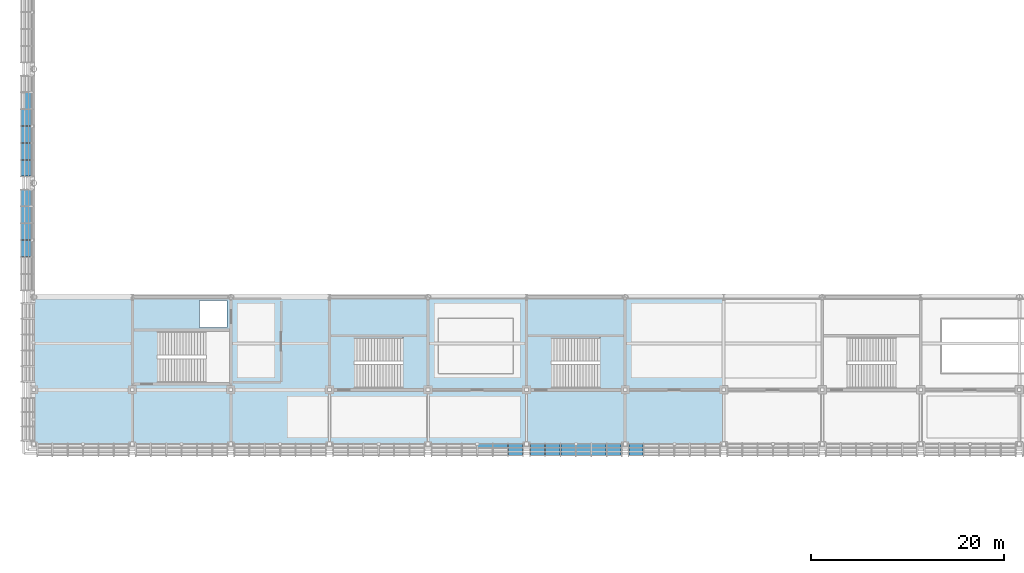
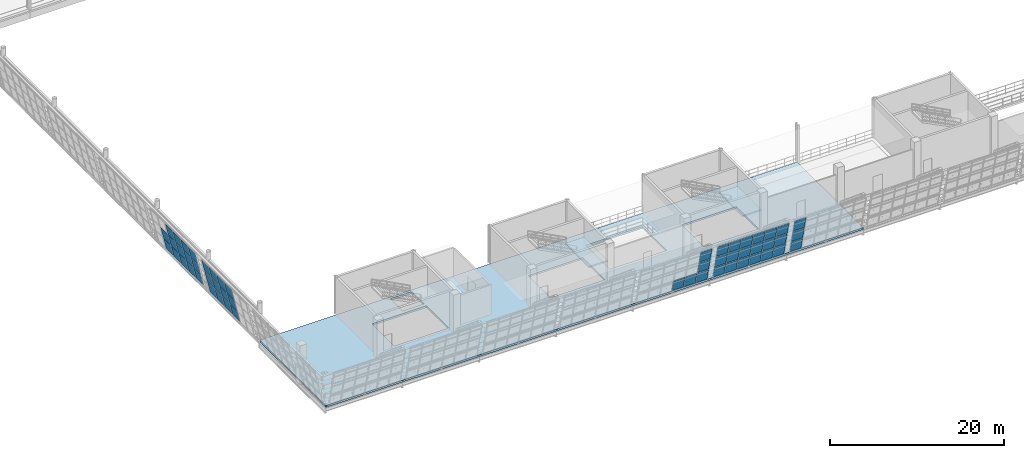
# One storey, part 104 of 175: 52 plates, 3 slabs, 7 elements without a shape of their own.
"""IFC4 building model written with IfcOpenShell, lengths in metres."""

from ifc_helpers import new_model, si_unit, direction, frame, origin, place, context, subcontext, project, spatial, polyline, outline, extrude, material, layer, layer_set, type_object, element, aggregate, save


model = new_model("IFC4")

# Units and contexts
model_context = context("Model", 3, precision=1e-05, world=origin(), true_north=direction((0.0, 1.0)))
body_context = subcontext(model_context, "Body", "Model", "MODEL_VIEW")
ifc_project = project(units=[si_unit("LENGTHUNIT", "METRE"), si_unit("AREAUNIT", "SQUARE_METRE"), si_unit("VOLUMEUNIT", "CUBIC_METRE"), si_unit("PLANEANGLEUNIT", "RADIAN"), si_unit("MASSUNIT", "GRAM", prefix="KILO")], contexts=[model_context])

# Site, building, storey
site_placement = place(None, origin())
site = spatial("IfcSite", under=ifc_project, at=site_placement, CompositionType="ELEMENT")
building_placement = place(site_placement, origin())
building = spatial("IfcBuilding", under=site, at=building_placement, Name="Brelvane Convention Centre", CompositionType="ELEMENT")
storey_placement = place(building_placement, frame((0.0, 0.0, 5.39990234375)))
storey = spatial("IfcBuildingStorey", under=building, at=storey_placement, Name="L01", CompositionType="ELEMENT", Elevation=5.39990234375)

# Curtain wall, plates
ifc_material_1 = material(Name="Anodised Aluminium Alloy 6063-T6", Category="aluminium")
curtain_wall_type = type_object("IfcCurtainWallType", Name="Curtain Wall CW-HULL-S", PredefinedType="USERDEFINED", material=ifc_material_1)
curtain_wall_1_placement = place(storey_placement, origin())
curtain_wall_1 = element("IfcCurtainWall", 1, at=curtain_wall_1_placement, inside=storey, type_object=curtain_wall_type, Name="Curtain Wall CW-HULL-S L01-HULL-S-L01-05", ObjectType="UNITISED", PredefinedType="USERDEFINED")
ifc_material_2 = material(Name="Double Glazed Low-E Laminated Unit")
ifc_layer_1 = layer(ifc_material_2, 0.031982421875)
ifc_layer_set_1 = layer_set([ifc_layer_1], Name="Double Glazed Low-E Laminated Unit")
plate_type_1 = type_object("IfcPlateType", Name="Curtain Panel CW-PG1", PredefinedType="CURTAIN_PANEL", material=ifc_layer_set_1)
plate_1_placement = place(storey_placement, frame((49.126708984375, 13.18798828125, 1.7568359375), z_axis=(0.0, 0.973584535906, 0.228326852222), x_axis=(1.0, 0.0, 0.0)))
plate_1 = element("IfcPlate", 2, at=plate_1_placement, type_object=plate_type_1, Name="CW-HULL-S panel 6.2", PredefinedType="CURTAIN_PANEL", context=body_context, shape_type="SweptSolid", body=[
    extrude(outline(polyline([(0.0, 0.0), (1.473388671875, 0.0), (1.473388671875, -1.680875721647406), (0.0, -1.680875721647406), (0.0, 0.0)])), origin(), (0.0, 0.0, -1.0), 0.031982421875),
])
plate_2_placement = place(storey_placement, frame((49.126708984375, 12.785400390625, 3.473388671875), z_axis=(0.0, 0.973577021422, 0.228358891569), x_axis=(1.0, 0.0, 0.0)))
plate_2 = element("IfcPlate", 3, at=plate_2_placement, type_object=plate_type_1, Name="CW-HULL-S panel 6.3", PredefinedType="CURTAIN_PANEL", context=body_context, shape_type="SweptSolid", body=[
    extrude(outline(polyline([(0.0, 0.0), (1.473388671875, 0.0), (1.473388671875, -1.640013735294975), (0.0, -1.640013735294975), (0.0, 0.0)])), origin(), (0.0, 0.0, -1.0), 0.031982421875),
])

curtain_wall_2_placement = place(storey_placement, origin())
curtain_wall_2 = element("IfcCurtainWall", 4, at=curtain_wall_2_placement, inside=storey, type_object=curtain_wall_type, Name="Curtain Wall CW-HULL-S L01-HULL-S-L01-06", ObjectType="UNITISED", PredefinedType="USERDEFINED")
plate_3_placement = place(storey_placement, frame((51.39990234375, 13.18798828125, 1.7568359375), z_axis=(0.0, 0.973584535906, 0.228326852222), x_axis=(1.0, 0.0, 0.0)))
plate_3 = element("IfcPlate", 5, at=plate_3_placement, type_object=plate_type_1, Name="CW-HULL-S panel 1.2", PredefinedType="CURTAIN_PANEL", context=body_context, shape_type="SweptSolid", body=[
    extrude(outline(polyline([(0.0, 0.0), (1.473388671875, 0.0), (1.473388671875, -1.680875721647406), (0.0, -1.680875721647406), (0.0, 0.0)])), origin(), (0.0, 0.0, -1.0), 0.031982421875),
])
plate_4_placement = place(storey_placement, frame((51.39990234375, 12.785400390625, 3.473388671875), z_axis=(0.0, 0.973577021422, 0.228358891569), x_axis=(1.0, 0.0, 0.0)))
plate_4 = element("IfcPlate", 6, at=plate_4_placement, type_object=plate_type_1, Name="CW-HULL-S panel 1.3", PredefinedType="CURTAIN_PANEL", context=body_context, shape_type="SweptSolid", body=[
    extrude(outline(polyline([(0.0, 0.0), (1.473388671875, 0.0), (1.473388671875, -1.640013735294975), (0.0, -1.640013735294975), (0.0, 0.0)])), origin(), (0.0, 0.0, -1.0), 0.031982421875),
])
plate_5_placement = place(storey_placement, frame((52.953369140625, 13.18798828125, 1.7568359375), z_axis=(0.0, 0.973584535906, 0.228326852222), x_axis=(1.0, 0.0, 0.0)))
plate_5 = element("IfcPlate", 7, at=plate_5_placement, type_object=plate_type_1, Name="CW-HULL-S panel 2.2", PredefinedType="CURTAIN_PANEL", context=body_context, shape_type="SweptSolid", body=[
    extrude(outline(polyline([(0.0, 0.0), (1.51318359375, 0.0), (1.51318359375, -1.680875721647406), (0.0, -1.680875721647406), (0.0, 0.0)])), origin(), (0.0, 0.0, -1.0), 0.031982421875),
])
plate_6_placement = place(storey_placement, frame((52.953369140625, 12.785400390625, 3.473388671875), z_axis=(0.0, 0.973577021422, 0.228358891569), x_axis=(1.0, 0.0, 0.0)))
plate_6 = element("IfcPlate", 8, at=plate_6_placement, type_object=plate_type_1, Name="CW-HULL-S panel 2.3", PredefinedType="CURTAIN_PANEL", context=body_context, shape_type="SweptSolid", body=[
    extrude(outline(polyline([(0.0, 0.0), (1.51318359375, 0.0), (1.51318359375, -1.640013735294975), (0.0, -1.640013735294975), (0.0, 0.0)])), origin(), (0.0, 0.0, -1.0), 0.031982421875),
])
plate_7_placement = place(storey_placement, frame((54.546630859375, 13.18798828125, 1.7568359375), z_axis=(0.0, 0.973584535906, 0.228326852222), x_axis=(1.0, 0.0, 0.0)))
plate_7 = element("IfcPlate", 9, at=plate_7_placement, type_object=plate_type_1, Name="CW-HULL-S panel 3.2", PredefinedType="CURTAIN_PANEL", context=body_context, shape_type="SweptSolid", body=[
    extrude(outline(polyline([(0.0, 0.0), (1.513427734375, 0.0), (1.513427734375, -1.680875721647406), (0.0, -1.680875721647406), (0.0, 0.0)])), origin(), (0.0, 0.0, -1.0), 0.031982421875),
])
plate_8_placement = place(storey_placement, frame((54.546630859375, 12.785400390625, 3.473388671875), z_axis=(0.0, 0.973577021422, 0.228358891569), x_axis=(1.0, 0.0, 0.0)))
plate_8 = element("IfcPlate", 10, at=plate_8_placement, type_object=plate_type_1, Name="CW-HULL-S panel 3.3", PredefinedType="CURTAIN_PANEL", context=body_context, shape_type="SweptSolid", body=[
    extrude(outline(polyline([(0.0, 0.0), (1.513427734375, 0.0), (1.513427734375, -1.6400137352949753), (0.0, -1.6400137352949753), (0.0, 0.0)])), origin(), (0.0, 0.0, -1.0), 0.031982421875),
])
plate_9_placement = place(storey_placement, frame((56.139892578125, 13.18798828125, 1.7568359375), z_axis=(0.0, 0.973584535906, 0.228326852222), x_axis=(1.0, 0.0, 0.0)))
plate_9 = element("IfcPlate", 11, at=plate_9_placement, type_object=plate_type_1, Name="CW-HULL-S panel 4.2", PredefinedType="CURTAIN_PANEL", context=body_context, shape_type="SweptSolid", body=[
    extrude(outline(polyline([(0.0, 0.0), (1.513427734375, 0.0), (1.513427734375, -1.680875721647406), (0.0, -1.680875721647406), (0.0, 0.0)])), origin(), (0.0, 0.0, -1.0), 0.031982421875),
])
plate_10_placement = place(storey_placement, frame((56.139892578125, 12.785400390625, 3.473388671875), z_axis=(0.0, 0.973577021422, 0.228358891569), x_axis=(1.0, 0.0, 0.0)))
plate_10 = element("IfcPlate", 12, at=plate_10_placement, type_object=plate_type_1, Name="CW-HULL-S panel 4.3", PredefinedType="CURTAIN_PANEL", context=body_context, shape_type="SweptSolid", body=[
    extrude(outline(polyline([(0.0, 0.0), (1.513427734375, 0.0), (1.513427734375, -1.6400137352949753), (0.0, -1.6400137352949753), (0.0, 0.0)])), origin(), (0.0, 0.0, -1.0), 0.031982421875),
])
plate_11_placement = place(storey_placement, frame((57.7333984375, 13.18798828125, 1.7568359375), z_axis=(0.0, 0.973584535906, 0.228326852222), x_axis=(1.0, 0.0, 0.0)))
plate_11 = element("IfcPlate", 13, at=plate_11_placement, type_object=plate_type_1, Name="CW-HULL-S panel 5.2", PredefinedType="CURTAIN_PANEL", context=body_context, shape_type="SweptSolid", body=[
    extrude(outline(polyline([(0.0, 0.0), (1.51318359375, 0.0), (1.51318359375, -1.680875721647406), (0.0, -1.680875721647406), (0.0, 0.0)])), origin(), (0.0, 0.0, -1.0), 0.031982421875),
])
plate_12_placement = place(storey_placement, frame((57.7333984375, 12.785400390625, 3.473388671875), z_axis=(0.0, 0.973577021422, 0.228358891569), x_axis=(1.0, 0.0, 0.0)))
plate_12 = element("IfcPlate", 14, at=plate_12_placement, type_object=plate_type_1, Name="CW-HULL-S panel 5.3", PredefinedType="CURTAIN_PANEL", context=body_context, shape_type="SweptSolid", body=[
    extrude(outline(polyline([(0.0, 0.0), (1.51318359375, 0.0), (1.51318359375, -1.640013735294975), (0.0, -1.640013735294975), (0.0, 0.0)])), origin(), (0.0, 0.0, -1.0), 0.031982421875),
])
plate_13_placement = place(storey_placement, frame((59.32666015625, 13.18798828125, 1.7568359375), z_axis=(0.0, 0.973584535906, 0.228326852222), x_axis=(1.0, 0.0, 0.0)))
plate_13 = element("IfcPlate", 15, at=plate_13_placement, type_object=plate_type_1, Name="CW-HULL-S panel 6.2", PredefinedType="CURTAIN_PANEL", context=body_context, shape_type="SweptSolid", body=[
    extrude(outline(polyline([(0.0, 0.0), (1.473388671875, 0.0), (1.473388671875, -1.680875721647406), (0.0, -1.680875721647406), (0.0, 0.0)])), origin(), (0.0, 0.0, -1.0), 0.031982421875),
])
plate_14_placement = place(storey_placement, frame((59.32666015625, 12.785400390625, 3.473388671875), z_axis=(0.0, 0.973577021422, 0.228358891569), x_axis=(1.0, 0.0, 0.0)))
plate_14 = element("IfcPlate", 16, at=plate_14_placement, type_object=plate_type_1, Name="CW-HULL-S panel 6.3", PredefinedType="CURTAIN_PANEL", context=body_context, shape_type="SweptSolid", body=[
    extrude(outline(polyline([(0.0, 0.0), (1.473388671875, 0.0), (1.473388671875, -1.640013735294975), (0.0, -1.640013735294975), (0.0, 0.0)])), origin(), (0.0, 0.0, -1.0), 0.031982421875),
])

curtain_wall_3_placement = place(storey_placement, origin())
curtain_wall_3 = element("IfcCurtainWall", 17, at=curtain_wall_3_placement, inside=storey, type_object=curtain_wall_type, Name="Curtain Wall CW-HULL-S L01-HULL-S-L01-07", ObjectType="UNITISED", PredefinedType="USERDEFINED")
plate_15_placement = place(storey_placement, frame((61.60009765625, 13.18798828125, 1.7568359375), z_axis=(0.0, 0.973584535906, 0.228326852222), x_axis=(1.0, 0.0, 0.0)))
plate_15 = element("IfcPlate", 18, at=plate_15_placement, type_object=plate_type_1, Name="CW-HULL-S panel 1.2", PredefinedType="CURTAIN_PANEL", context=body_context, shape_type="SweptSolid", body=[
    extrude(outline(polyline([(0.0, 0.0), (1.47314453125, 0.0), (1.47314453125, -1.680875721647406), (0.0, -1.680875721647406), (0.0, 0.0)])), origin(), (0.0, 0.0, -1.0), 0.031982421875),
])
plate_16_placement = place(storey_placement, frame((61.60009765625, 12.785400390625, 3.473388671875), z_axis=(0.0, 0.973577021422, 0.228358891569), x_axis=(1.0, 0.0, 0.0)))
plate_16 = element("IfcPlate", 19, at=plate_16_placement, type_object=plate_type_1, Name="CW-HULL-S panel 1.3", PredefinedType="CURTAIN_PANEL", context=body_context, shape_type="SweptSolid", body=[
    extrude(outline(polyline([(0.0, 0.0), (1.47314453125, 0.0), (1.47314453125, -1.6400137352949753), (0.0, -1.6400137352949753), (0.0, 0.0)])), origin(), (0.0, 0.0, -1.0), 0.031982421875),
])

curtain_wall_4_placement = place(storey_placement, origin())
curtain_wall_4 = element("IfcCurtainWall", 20, at=curtain_wall_4_placement, inside=storey, type_object=curtain_wall_type, Name="Curtain Wall CW-HULL-S L01-HULL-W-L01-1", ObjectType="UNITISED", PredefinedType="USERDEFINED")
plate_17_placement = place(storey_placement, frame((-0.543701171875, 32.987548828125, 1.74169921875), z_axis=(0.9735519665, 0.0, 0.22846568347), x_axis=(0.0, 1.0, 0.0)))
plate_17 = element("IfcPlate", 21, at=plate_17_placement, type_object=plate_type_1, Name="CW-HULL-S panel 3.2", PredefinedType="CURTAIN_PANEL", context=body_context, shape_type="SweptSolid", body=[
    extrude(outline(polyline([(0.0, 0.0), (1.675048828125, 0.0), (1.675048828125, 1.66061933454036), (0.0, 1.66061933454036), (0.0, 0.0)])), origin(), (0.0, 0.0, -1.0), 0.031982421875),
])
plate_18_placement = place(storey_placement, frame((-0.939453125, 32.987548828125, 3.428466796875), z_axis=(0.973592305748, 0.0, 0.228293719116), x_axis=(0.0, 1.0, 0.0)))
plate_18 = element("IfcPlate", 22, at=plate_18_placement, type_object=plate_type_1, Name="CW-HULL-S panel 3.3", PredefinedType="CURTAIN_PANEL", context=body_context, shape_type="SweptSolid", body=[
    extrude(outline(polyline([(0.0, 0.0), (1.675048828125, 0.0), (1.675048828125, 1.624440702142172), (0.0, 1.624440702142172), (0.0, 0.0)])), origin(), (0.0, 0.0, -1.0), 0.031982421875),
])
plate_19_placement = place(storey_placement, frame((-0.543701171875, 34.737548828125, 1.74169921875), z_axis=(0.9735519665, 0.0, 0.22846568347), x_axis=(0.0, 1.0, 0.0)))
plate_19 = element("IfcPlate", 23, at=plate_19_placement, type_object=plate_type_1, Name="CW-HULL-S panel 4.2", PredefinedType="CURTAIN_PANEL", context=body_context, shape_type="SweptSolid", body=[
    extrude(outline(polyline([(0.0, 0.0), (1.675048828125, 0.0), (1.675048828125, 1.66061933454036), (0.0, 1.66061933454036), (0.0, 0.0)])), origin(), (0.0, 0.0, -1.0), 0.031982421875),
])
plate_20_placement = place(storey_placement, frame((-0.939453125, 34.737548828125, 3.428466796875), z_axis=(0.973592305748, 0.0, 0.228293719116), x_axis=(0.0, 1.0, 0.0)))
plate_20 = element("IfcPlate", 24, at=plate_20_placement, type_object=plate_type_1, Name="CW-HULL-S panel 4.3", PredefinedType="CURTAIN_PANEL", context=body_context, shape_type="SweptSolid", body=[
    extrude(outline(polyline([(0.0, 0.0), (1.675048828125, 0.0), (1.675048828125, 1.624440702142172), (0.0, 1.624440702142172), (0.0, 0.0)])), origin(), (0.0, 0.0, -1.0), 0.031982421875),
])
plate_21_placement = place(storey_placement, frame((-0.543701171875, 36.487548828125, 1.74169921875), z_axis=(0.9735519665, 0.0, 0.22846568347), x_axis=(0.0, 1.0, 0.0)))
plate_21 = element("IfcPlate", 25, at=plate_21_placement, type_object=plate_type_1, Name="CW-HULL-S panel 5.2", PredefinedType="CURTAIN_PANEL", context=body_context, shape_type="SweptSolid", body=[
    extrude(outline(polyline([(0.0, 0.0), (1.675048828125, 0.0), (1.675048828125, 1.66061933454036), (0.0, 1.66061933454036), (0.0, 0.0)])), origin(), (0.0, 0.0, -1.0), 0.031982421875),
])
plate_22_placement = place(storey_placement, frame((-0.939453125, 36.487548828125, 3.428466796875), z_axis=(0.973592305748, 0.0, 0.228293719116), x_axis=(0.0, 1.0, 0.0)))
plate_22 = element("IfcPlate", 26, at=plate_22_placement, type_object=plate_type_1, Name="CW-HULL-S panel 5.3", PredefinedType="CURTAIN_PANEL", context=body_context, shape_type="SweptSolid", body=[
    extrude(outline(polyline([(0.0, 0.0), (1.675048828125, 0.0), (1.675048828125, 1.624440702142172), (0.0, 1.624440702142172), (0.0, 0.0)])), origin(), (0.0, 0.0, -1.0), 0.031982421875),
])
plate_23_placement = place(storey_placement, frame((-0.543701171875, 38.237548828125, 1.74169921875), z_axis=(0.9735519665, 0.0, 0.22846568347), x_axis=(0.0, 1.0, 0.0)))
plate_23 = element("IfcPlate", 27, at=plate_23_placement, type_object=plate_type_1, Name="CW-HULL-S panel 6.2", PredefinedType="CURTAIN_PANEL", context=body_context, shape_type="SweptSolid", body=[
    extrude(outline(polyline([(0.0, 0.0), (1.637451171875, 0.0), (1.637451171875, 1.6606193345403597), (0.0, 1.6606193345403597), (0.0, 0.0)])), origin(), (0.0, 0.0, -1.0), 0.031982421875),
])
plate_24_placement = place(storey_placement, frame((-0.939453125, 38.237548828125, 3.428466796875), z_axis=(0.973592305748, 0.0, 0.228293719116), x_axis=(0.0, 1.0, 0.0)))
plate_24 = element("IfcPlate", 28, at=plate_24_placement, type_object=plate_type_1, Name="CW-HULL-S panel 6.3", PredefinedType="CURTAIN_PANEL", context=body_context, shape_type="SweptSolid", body=[
    extrude(outline(polyline([(0.0, 0.0), (1.637451171875, 0.0), (1.637451171875, 1.6244407021421723), (0.0, 1.6244407021421723), (0.0, 0.0)])), origin(), (0.0, 0.0, -1.0), 0.031982421875),
])

curtain_wall_5_placement = place(storey_placement, origin())
curtain_wall_5 = element("IfcCurtainWall", 29, at=curtain_wall_5_placement, inside=storey, type_object=curtain_wall_type, Name="Curtain Wall CW-HULL-S L01-HULL-W-L01-2", ObjectType="UNITISED", PredefinedType="USERDEFINED")
plate_25_placement = place(storey_placement, frame((-0.543701171875, 41.324951171875, 1.74169921875), z_axis=(0.9735519665, 0.0, 0.22846568347), x_axis=(0.0, 1.0, 0.0)))
plate_25 = element("IfcPlate", 30, at=plate_25_placement, type_object=plate_type_1, Name="CW-HULL-S panel 1.2", PredefinedType="CURTAIN_PANEL", context=body_context, shape_type="SweptSolid", body=[
    extrude(outline(polyline([(0.0, 0.0), (1.637451171875, 0.0), (1.637451171875, 1.6606193345403597), (0.0, 1.6606193345403597), (0.0, 0.0)])), origin(), (0.0, 0.0, -1.0), 0.031982421875),
])
plate_26_placement = place(storey_placement, frame((-0.939453125, 41.324951171875, 3.428466796875), z_axis=(0.973592305748, 0.0, 0.228293719116), x_axis=(0.0, 1.0, 0.0)))
plate_26 = element("IfcPlate", 31, at=plate_26_placement, type_object=plate_type_1, Name="CW-HULL-S panel 1.3", PredefinedType="CURTAIN_PANEL", context=body_context, shape_type="SweptSolid", body=[
    extrude(outline(polyline([(0.0, 0.0), (1.637451171875, 0.0), (1.637451171875, 1.6244407021421723), (0.0, 1.6244407021421723), (0.0, 0.0)])), origin(), (0.0, 0.0, -1.0), 0.031982421875),
])
plate_27_placement = place(storey_placement, frame((-0.543701171875, 43.03759765625, 1.74169921875), z_axis=(0.9735519665, 0.0, 0.22846568347), x_axis=(0.0, 1.0, 0.0)))
plate_27 = element("IfcPlate", 32, at=plate_27_placement, type_object=plate_type_1, Name="CW-HULL-S panel 2.2", PredefinedType="CURTAIN_PANEL", context=body_context, shape_type="SweptSolid", body=[
    extrude(outline(polyline([(0.0, 0.0), (1.6748046875, 0.0), (1.6748046875, 1.6606193345403597), (0.0, 1.6606193345403597), (0.0, 0.0)])), origin(), (0.0, 0.0, -1.0), 0.031982421875),
])
plate_28_placement = place(storey_placement, frame((-0.939453125, 43.03759765625, 3.428466796875), z_axis=(0.973592305748, 0.0, 0.228293719116), x_axis=(0.0, 1.0, 0.0)))
plate_28 = element("IfcPlate", 33, at=plate_28_placement, type_object=plate_type_1, Name="CW-HULL-S panel 2.3", PredefinedType="CURTAIN_PANEL", context=body_context, shape_type="SweptSolid", body=[
    extrude(outline(polyline([(0.0, 0.0), (1.6748046875, 0.0), (1.6748046875, 1.624440702142172), (0.0, 1.624440702142172), (0.0, 0.0)])), origin(), (0.0, 0.0, -1.0), 0.031982421875),
])
plate_29_placement = place(storey_placement, frame((-0.543701171875, 44.78759765625, 1.74169921875), z_axis=(0.9735519665, 0.0, 0.22846568347), x_axis=(0.0, 1.0, 0.0)))
plate_29 = element("IfcPlate", 34, at=plate_29_placement, type_object=plate_type_1, Name="CW-HULL-S panel 3.2", PredefinedType="CURTAIN_PANEL", context=body_context, shape_type="SweptSolid", body=[
    extrude(outline(polyline([(0.0, 0.0), (1.6748046875, 0.0), (1.6748046875, 1.6606193345403597), (0.0, 1.6606193345403597), (0.0, 0.0)])), origin(), (0.0, 0.0, -1.0), 0.031982421875),
])
plate_30_placement = place(storey_placement, frame((-0.939453125, 44.78759765625, 3.428466796875), z_axis=(0.973592305748, 0.0, 0.228293719116), x_axis=(0.0, 1.0, 0.0)))
plate_30 = element("IfcPlate", 35, at=plate_30_placement, type_object=plate_type_1, Name="CW-HULL-S panel 3.3", PredefinedType="CURTAIN_PANEL", context=body_context, shape_type="SweptSolid", body=[
    extrude(outline(polyline([(0.0, 0.0), (1.6748046875, 0.0), (1.6748046875, 1.624440702142172), (0.0, 1.624440702142172), (0.0, 0.0)])), origin(), (0.0, 0.0, -1.0), 0.031982421875),
])
plate_31_placement = place(storey_placement, frame((-0.543701171875, 46.53759765625, 1.74169921875), z_axis=(0.9735519665, 0.0, 0.22846568347), x_axis=(0.0, 1.0, 0.0)))
plate_31 = element("IfcPlate", 36, at=plate_31_placement, type_object=plate_type_1, Name="CW-HULL-S panel 4.2", PredefinedType="CURTAIN_PANEL", context=body_context, shape_type="SweptSolid", body=[
    extrude(outline(polyline([(0.0, 0.0), (1.6748046875, 0.0), (1.6748046875, 1.6606193345403597), (0.0, 1.6606193345403597), (0.0, 0.0)])), origin(), (0.0, 0.0, -1.0), 0.031982421875),
])
plate_32_placement = place(storey_placement, frame((-0.939453125, 46.53759765625, 3.428466796875), z_axis=(0.973592305748, 0.0, 0.228293719116), x_axis=(0.0, 1.0, 0.0)))
plate_32 = element("IfcPlate", 37, at=plate_32_placement, type_object=plate_type_1, Name="CW-HULL-S panel 4.3", PredefinedType="CURTAIN_PANEL", context=body_context, shape_type="SweptSolid", body=[
    extrude(outline(polyline([(0.0, 0.0), (1.6748046875, 0.0), (1.6748046875, 1.624440702142172), (0.0, 1.624440702142172), (0.0, 0.0)])), origin(), (0.0, 0.0, -1.0), 0.031982421875),
])
plate_33_placement = place(storey_placement, frame((-0.543701171875, 48.28759765625, 1.74169921875), z_axis=(0.9735519665, 0.0, 0.22846568347), x_axis=(0.0, 1.0, 0.0)))
plate_33 = element("IfcPlate", 38, at=plate_33_placement, type_object=plate_type_1, Name="CW-HULL-S panel 5.2", PredefinedType="CURTAIN_PANEL", context=body_context, shape_type="SweptSolid", body=[
    extrude(outline(polyline([(0.0, 0.0), (1.6748046875, 0.0), (1.6748046875, 1.6606193345403597), (0.0, 1.6606193345403597), (0.0, 0.0)])), origin(), (0.0, 0.0, -1.0), 0.031982421875),
])

# Plate
ifc_material_3 = material(Name="Patinated Copper-Bronze Alloy C22000")
ifc_layer_2 = layer(ifc_material_3, 0.048095703125)
ifc_layer_set_2 = layer_set([ifc_layer_2], Name="Patinated Copper-Bronze Alloy C22000")
plate_type_2 = type_object("IfcPlateType", Name="Curtain Panel CW-PS1", PredefinedType="CURTAIN_PANEL", material=ifc_layer_set_2)
plate_34_placement = place(storey_placement, frame((45.93994140625, 13.581298828125, 0.080078125), z_axis=(0.0, 0.973577021422, 0.228358891569), x_axis=(1.0, 0.0, 0.0)))
plate_34 = element("IfcPlate", 39, at=plate_34_placement, type_object=plate_type_2, Name="CW-HULL-S panel 4.1", PredefinedType="CURTAIN_PANEL", context=body_context, shape_type="SweptSolid", body=[
    extrude(outline(polyline([(0.0, 0.0), (1.513427734375, 0.0), (1.513427734375, -1.6400137352949753), (0.0, -1.6400137352949753), (0.0, 0.0)])), origin(), (0.0, 0.0, -1.0), 0.031982421875),
])

plate_35_placement = place(storey_placement, frame((47.533447265625, 13.581298828125, 0.080078125), z_axis=(0.0, 0.973577021422, 0.228358891569), x_axis=(1.0, 0.0, 0.0)))
plate_35 = element("IfcPlate", 40, at=plate_35_placement, type_object=plate_type_2, Name="CW-HULL-S panel 5.1", PredefinedType="CURTAIN_PANEL", context=body_context, shape_type="SweptSolid", body=[
    extrude(outline(polyline([(0.0, 0.0), (1.51318359375, 0.0), (1.51318359375, -1.640013735294975), (0.0, -1.640013735294975), (0.0, 0.0)])), origin(), (0.0, 0.0, -1.0), 0.031982421875),
])

plate_36_placement = place(storey_placement, frame((49.126708984375, 13.581298828125, 0.080078125), z_axis=(0.0, 0.973577021422, 0.228358891569), x_axis=(1.0, 0.0, 0.0)))
plate_36 = element("IfcPlate", 41, at=plate_36_placement, type_object=plate_type_2, Name="CW-HULL-S panel 6.1", PredefinedType="CURTAIN_PANEL", context=body_context, shape_type="SweptSolid", body=[
    extrude(outline(polyline([(0.0, 0.0), (1.473388671875, 0.0), (1.473388671875, -1.640013735294975), (0.0, -1.640013735294975), (0.0, 0.0)])), origin(), (0.0, 0.0, -1.0), 0.031982421875),
])

aggregate(curtain_wall_1, [plate_34, plate_35, plate_36, plate_1, plate_2])

plate_37_placement = place(storey_placement, frame((51.39990234375, 13.581298828125, 0.080078125), z_axis=(0.0, 0.973577021422, 0.228358891569), x_axis=(1.0, 0.0, 0.0)))
plate_37 = element("IfcPlate", 42, at=plate_37_placement, type_object=plate_type_2, Name="CW-HULL-S panel 1.1", PredefinedType="CURTAIN_PANEL", context=body_context, shape_type="SweptSolid", body=[
    extrude(outline(polyline([(0.0, 0.0), (1.473388671875, 0.0), (1.473388671875, -1.640013735294975), (0.0, -1.640013735294975), (0.0, 0.0)])), origin(), (0.0, 0.0, -1.0), 0.031982421875),
])

plate_38_placement = place(storey_placement, frame((52.953369140625, 13.581298828125, 0.080078125), z_axis=(0.0, 0.973577021422, 0.228358891569), x_axis=(1.0, 0.0, 0.0)))
plate_38 = element("IfcPlate", 43, at=plate_38_placement, type_object=plate_type_2, Name="CW-HULL-S panel 2.1", PredefinedType="CURTAIN_PANEL", context=body_context, shape_type="SweptSolid", body=[
    extrude(outline(polyline([(0.0, 0.0), (1.51318359375, 0.0), (1.51318359375, -1.640013735294975), (0.0, -1.640013735294975), (0.0, 0.0)])), origin(), (0.0, 0.0, -1.0), 0.031982421875),
])

plate_39_placement = place(storey_placement, frame((54.546630859375, 13.581298828125, 0.080078125), z_axis=(0.0, 0.973577021422, 0.228358891569), x_axis=(1.0, 0.0, 0.0)))
plate_39 = element("IfcPlate", 44, at=plate_39_placement, type_object=plate_type_2, Name="CW-HULL-S panel 3.1", PredefinedType="CURTAIN_PANEL", context=body_context, shape_type="SweptSolid", body=[
    extrude(outline(polyline([(0.0, 0.0), (1.513427734375, 0.0), (1.513427734375, -1.6400137352949753), (0.0, -1.6400137352949753), (0.0, 0.0)])), origin(), (0.0, 0.0, -1.0), 0.031982421875),
])

plate_40_placement = place(storey_placement, frame((56.139892578125, 13.581298828125, 0.080078125), z_axis=(0.0, 0.973577021422, 0.228358891569), x_axis=(1.0, 0.0, 0.0)))
plate_40 = element("IfcPlate", 45, at=plate_40_placement, type_object=plate_type_2, Name="CW-HULL-S panel 4.1", PredefinedType="CURTAIN_PANEL", context=body_context, shape_type="SweptSolid", body=[
    extrude(outline(polyline([(0.0, 0.0), (1.513427734375, 0.0), (1.513427734375, -1.6400137352949753), (0.0, -1.6400137352949753), (0.0, 0.0)])), origin(), (0.0, 0.0, -1.0), 0.031982421875),
])

plate_41_placement = place(storey_placement, frame((57.7333984375, 13.581298828125, 0.080078125), z_axis=(0.0, 0.973577021422, 0.228358891569), x_axis=(1.0, 0.0, 0.0)))
plate_41 = element("IfcPlate", 46, at=plate_41_placement, type_object=plate_type_2, Name="CW-HULL-S panel 5.1", PredefinedType="CURTAIN_PANEL", context=body_context, shape_type="SweptSolid", body=[
    extrude(outline(polyline([(0.0, 0.0), (1.51318359375, 0.0), (1.51318359375, -1.640013735294975), (0.0, -1.640013735294975), (0.0, 0.0)])), origin(), (0.0, 0.0, -1.0), 0.031982421875),
])

plate_42_placement = place(storey_placement, frame((59.32666015625, 13.581298828125, 0.080078125), z_axis=(0.0, 0.973577021422, 0.228358891569), x_axis=(1.0, 0.0, 0.0)))
plate_42 = element("IfcPlate", 47, at=plate_42_placement, type_object=plate_type_2, Name="CW-HULL-S panel 6.1", PredefinedType="CURTAIN_PANEL", context=body_context, shape_type="SweptSolid", body=[
    extrude(outline(polyline([(0.0, 0.0), (1.473388671875, 0.0), (1.473388671875, -1.640013735294975), (0.0, -1.640013735294975), (0.0, 0.0)])), origin(), (0.0, 0.0, -1.0), 0.031982421875),
])

aggregate(curtain_wall_2, [plate_37, plate_3, plate_4, plate_38, plate_5, plate_6, plate_39, plate_7, plate_8, plate_40, plate_9, plate_10, plate_41, plate_11, plate_12, plate_42, plate_13, plate_14])

plate_43_placement = place(storey_placement, frame((61.60009765625, 13.581298828125, 0.080078125), z_axis=(0.0, 0.973577021422, 0.228358891569), x_axis=(1.0, 0.0, 0.0)))
plate_43 = element("IfcPlate", 48, at=plate_43_placement, type_object=plate_type_2, Name="CW-HULL-S panel 1.1", PredefinedType="CURTAIN_PANEL", context=body_context, shape_type="SweptSolid", body=[
    extrude(outline(polyline([(0.0, 0.0), (1.47314453125, 0.0), (1.47314453125, -1.6400137352949753), (0.0, -1.6400137352949753), (0.0, 0.0)])), origin(), (0.0, 0.0, -1.0), 0.031982421875),
])

aggregate(curtain_wall_3, [plate_43, plate_15, plate_16])

plate_44_placement = place(storey_placement, frame((-0.156494140625, 32.987548828125, 0.090087890625), z_axis=(0.973600136957, 0.0, 0.228260319191), x_axis=(0.0, 1.0, 0.0)))
plate_44 = element("IfcPlate", 49, at=plate_44_placement, type_object=plate_type_2, Name="CW-HULL-S panel 3.1", PredefinedType="CURTAIN_PANEL", context=body_context, shape_type="SweptSolid", body=[
    extrude(outline(polyline([(0.0, 0.0), (1.675048828125, 0.0), (1.675048828125, 1.624678396532221), (0.0, 1.624678396532221), (0.0, 0.0)])), origin(), (0.0, 0.0, -1.0), 0.031982421875),
])

plate_45_placement = place(storey_placement, frame((-0.156494140625, 34.737548828125, 0.090087890625), z_axis=(0.973600136957, 0.0, 0.228260319191), x_axis=(0.0, 1.0, 0.0)))
plate_45 = element("IfcPlate", 50, at=plate_45_placement, type_object=plate_type_2, Name="CW-HULL-S panel 4.1", PredefinedType="CURTAIN_PANEL", context=body_context, shape_type="SweptSolid", body=[
    extrude(outline(polyline([(0.0, 0.0), (1.675048828125, 0.0), (1.675048828125, 1.624678396532221), (0.0, 1.624678396532221), (0.0, 0.0)])), origin(), (0.0, 0.0, -1.0), 0.031982421875),
])

plate_46_placement = place(storey_placement, frame((-0.156494140625, 36.487548828125, 0.090087890625), z_axis=(0.973600136957, 0.0, 0.228260319191), x_axis=(0.0, 1.0, 0.0)))
plate_46 = element("IfcPlate", 51, at=plate_46_placement, type_object=plate_type_2, Name="CW-HULL-S panel 5.1", PredefinedType="CURTAIN_PANEL", context=body_context, shape_type="SweptSolid", body=[
    extrude(outline(polyline([(0.0, 0.0), (1.675048828125, 0.0), (1.675048828125, 1.624678396532221), (0.0, 1.624678396532221), (0.0, 0.0)])), origin(), (0.0, 0.0, -1.0), 0.031982421875),
])

plate_47_placement = place(storey_placement, frame((-0.156494140625, 38.237548828125, 0.090087890625), z_axis=(0.973600136957, 0.0, 0.228260319191), x_axis=(0.0, 1.0, 0.0)))
plate_47 = element("IfcPlate", 52, at=plate_47_placement, type_object=plate_type_2, Name="CW-HULL-S panel 6.1", PredefinedType="CURTAIN_PANEL", context=body_context, shape_type="SweptSolid", body=[
    extrude(outline(polyline([(0.0, 0.0), (1.637451171875, 0.0), (1.637451171875, 1.624678396532221), (0.0, 1.624678396532221), (0.0, 0.0)])), origin(), (0.0, 0.0, -1.0), 0.031982421875),
])

aggregate(curtain_wall_4, [plate_44, plate_17, plate_18, plate_45, plate_19, plate_20, plate_46, plate_21, plate_22, plate_47, plate_23, plate_24])

plate_48_placement = place(storey_placement, frame((-0.156494140625, 41.324951171875, 0.090087890625), z_axis=(0.973600136957, 0.0, 0.228260319191), x_axis=(0.0, 1.0, 0.0)))
plate_48 = element("IfcPlate", 53, at=plate_48_placement, type_object=plate_type_2, Name="CW-HULL-S panel 1.1", PredefinedType="CURTAIN_PANEL", context=body_context, shape_type="SweptSolid", body=[
    extrude(outline(polyline([(0.0, 0.0), (1.637451171875, 0.0), (1.637451171875, 1.624678396532221), (0.0, 1.624678396532221), (0.0, 0.0)])), origin(), (0.0, 0.0, -1.0), 0.031982421875),
])

plate_49_placement = place(storey_placement, frame((-0.156494140625, 43.03759765625, 0.090087890625), z_axis=(0.973600136957, 0.0, 0.228260319191), x_axis=(0.0, 1.0, 0.0)))
plate_49 = element("IfcPlate", 54, at=plate_49_placement, type_object=plate_type_2, Name="CW-HULL-S panel 2.1", PredefinedType="CURTAIN_PANEL", context=body_context, shape_type="SweptSolid", body=[
    extrude(outline(polyline([(0.0, 0.0), (1.6748046875, 0.0), (1.6748046875, 1.624678396532221), (0.0, 1.624678396532221), (0.0, 0.0)])), origin(), (0.0, 0.0, -1.0), 0.031982421875),
])

plate_50_placement = place(storey_placement, frame((-0.156494140625, 44.78759765625, 0.090087890625), z_axis=(0.973600136957, 0.0, 0.228260319191), x_axis=(0.0, 1.0, 0.0)))
plate_50 = element("IfcPlate", 55, at=plate_50_placement, type_object=plate_type_2, Name="CW-HULL-S panel 3.1", PredefinedType="CURTAIN_PANEL", context=body_context, shape_type="SweptSolid", body=[
    extrude(outline(polyline([(0.0, 0.0), (1.6748046875, 0.0), (1.6748046875, 1.624678396532221), (0.0, 1.624678396532221), (0.0, 0.0)])), origin(), (0.0, 0.0, -1.0), 0.031982421875),
])

plate_51_placement = place(storey_placement, frame((-0.156494140625, 46.53759765625, 0.090087890625), z_axis=(0.973600136957, 0.0, 0.228260319191), x_axis=(0.0, 1.0, 0.0)))
plate_51 = element("IfcPlate", 56, at=plate_51_placement, type_object=plate_type_2, Name="CW-HULL-S panel 4.1", PredefinedType="CURTAIN_PANEL", context=body_context, shape_type="SweptSolid", body=[
    extrude(outline(polyline([(0.0, 0.0), (1.6748046875, 0.0), (1.6748046875, 1.624678396532221), (0.0, 1.624678396532221), (0.0, 0.0)])), origin(), (0.0, 0.0, -1.0), 0.031982421875),
])

plate_52_placement = place(storey_placement, frame((-0.156494140625, 48.28759765625, 0.090087890625), z_axis=(0.973600136957, 0.0, 0.228260319191), x_axis=(0.0, 1.0, 0.0)))
plate_52 = element("IfcPlate", 57, at=plate_52_placement, type_object=plate_type_2, Name="CW-HULL-S panel 5.1", PredefinedType="CURTAIN_PANEL", context=body_context, shape_type="SweptSolid", body=[
    extrude(outline(polyline([(0.0, 0.0), (1.6748046875, 0.0), (1.6748046875, 1.624678396532221), (0.0, 1.624678396532221), (0.0, 0.0)])), origin(), (0.0, 0.0, -1.0), 0.031982421875),
])

aggregate(curtain_wall_5, [plate_48, plate_25, plate_26, plate_49, plate_27, plate_28, plate_50, plate_29, plate_30, plate_51, plate_31, plate_32, plate_52, plate_33])

# Stair, slab
ifc_material_4 = material(Name="Concrete M40", Category="concrete")
stair_type = type_object("IfcStairType", Name="Exit Stair ST-CORE", PredefinedType="HALF_TURN_STAIR", material=ifc_material_4)
stair_1_placement = place(storey_placement, origin())
stair_1 = element("IfcStair", 58, at=stair_1_placement, inside=storey, type_object=stair_type, Name="Exit Stair ST-09 (L01 to L02)", PredefinedType="HALF_TURN_STAIR")
ifc_material_5 = material(Name="Concrete M40", Category="concrete")
ifc_layer_3 = layer(ifc_material_5, 0.199951171875)
ifc_layer_set_3 = layer_set([ifc_layer_3], Name="Concrete M40")
slab_type_1 = type_object("IfcSlabType", Name="Stair Landing SL-LND-200", PredefinedType="LANDING", material=ifc_layer_set_3)
slab_1_placement = place(storey_placement, frame((0.0, 0.0, 2.5)))
slab_1 = element("IfcSlab", 59, at=slab_1_placement, type_object=slab_type_1, Name="Stair ST-09 L01 Half Landing", PredefinedType="LANDING", context=body_context, shape_type="SweptSolid", body=[
    extrude(outline(polyline([(58.6201171875, 19.280029296875), (61.1201171875, 19.280029296875), (61.1201171875, 24.719970703125), (58.6201171875, 24.719970703125), (58.6201171875, 19.280029296875)])), origin(), (0.0, 0.0, 1.0), 0.2001953125),
])
aggregate(stair_1, [slab_1])

stair_2_placement = place(storey_placement, origin())
stair_2 = element("IfcStair", 60, at=stair_2_placement, inside=storey, type_object=stair_type, Name="Exit Stair ST-19 (L01 to L02)", PredefinedType="HALF_TURN_STAIR")
slab_2_placement = place(storey_placement, frame((0.0, 0.0, 2.5)))
slab_2 = element("IfcSlab", 61, at=slab_2_placement, type_object=slab_type_1, Name="Stair ST-19 L01 Half Landing", PredefinedType="LANDING", context=body_context, shape_type="SweptSolid", body=[
    extrude(outline(polyline([(38.219970703125, 19.280029296875), (40.719970703125, 19.280029296875), (40.719970703125, 24.719970703125), (38.219970703125, 24.719970703125), (38.219970703125, 19.280029296875)])), origin(), (0.0, 0.0, 1.0), 0.2001953125),
])
aggregate(stair_2, [slab_2])

# Slab
ifc_material_6 = material(Name="Concrete M40", Category="concrete")
ifc_layer_4 = layer(ifc_material_6, 0.260009765625)
ifc_layer_set_4 = layer_set([ifc_layer_4], Name="Concrete M40")
slab_type_2 = type_object("IfcSlabType", Name="Structural Slab SL-GAL-260", PredefinedType="FLOOR", material=ifc_layer_set_4)
slab_3_placement = place(storey_placement, frame((0.0, 0.0, -0.260009765625)))
element("IfcSlab", 62, at=slab_3_placement, inside=storey, type_object=slab_type_2, Name="L01 Gallery Slab V1G-W", PredefinedType="FLOOR", context=body_context, shape_type="SweptSolid", body=[
    extrude(outline(polyline([(0.0, 13.60009765625), (71.39990234375, 13.60009765625), (71.39990234375, 28.800048828125), (0.0, 28.800048828125), (0.0, 13.60009765625)]), holes=[polyline([(12.800048828125, 20.050048828125), (20.050048828125, 20.050048828125), (20.050048828125, 25.14990234375), (12.800048828125, 25.14990234375), (12.800048828125, 20.050048828125)]), polyline([(17.14990234375, 25.64990234375), (20.0, 25.64990234375), (20.0, 28.449951171875), (17.14990234375, 28.449951171875), (17.14990234375, 25.64990234375)]), polyline([(53.60009765625, 19.449951171875), (60.85009765625, 19.449951171875), (60.85009765625, 24.550048828125), (53.60009765625, 24.550048828125), (53.60009765625, 19.449951171875)]), polyline([(33.199951171875, 19.449951171875), (40.449951171875, 19.449951171875), (40.449951171875, 24.550048828125), (33.199951171875, 24.550048828125), (33.199951171875, 19.449951171875)]), polyline([(42.0, 21.0), (49.5, 21.0), (49.5, 26.5), (42.0, 26.5), (42.0, 21.0)])]), origin(), (0.0, 0.0, 1.0), 0.260009765625),
])

save(model, "model.ifc")
